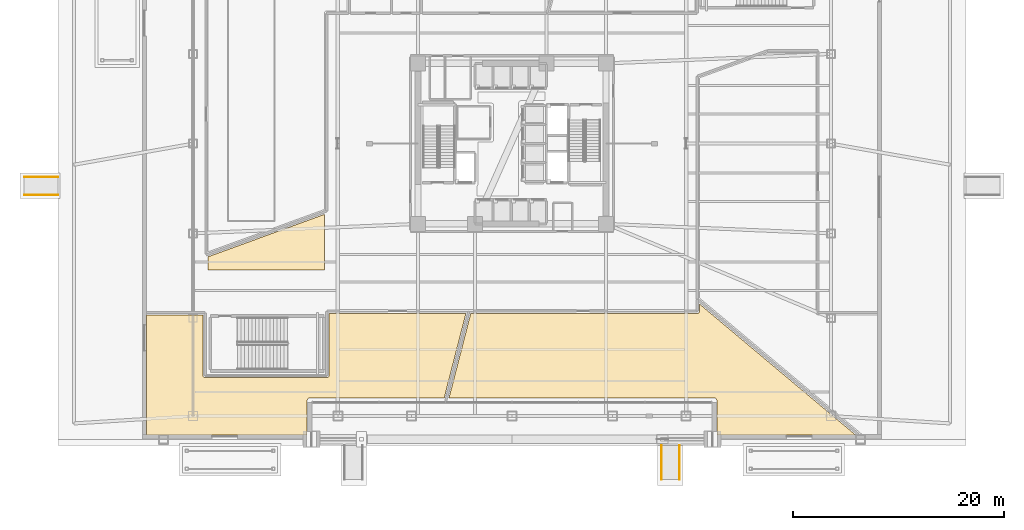
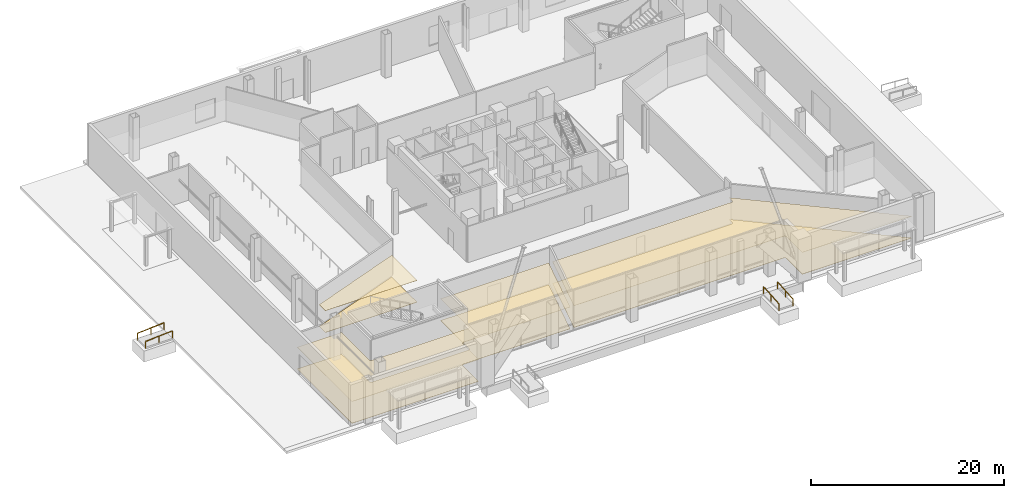
# One storey, part 21 of 27: 6 coverings, 4 railings.
"""IFC4 building model written with IfcOpenShell, lengths in metres."""

from ifc_helpers import new_model, si_unit, direction, frame, origin, origin_2d, place, context, subcontext, project, spatial, polyline, rectangle, outline, extrude, material, layer, layer_set, type_object, element, save


model = new_model("IFC4")

# Units and contexts
model_context = context("Model", 3, precision=1e-05, world=origin(), true_north=direction((0.0, 1.0)))
body_context = subcontext(model_context, "Body", "Model", "MODEL_VIEW")
ifc_project = project(units=[si_unit("LENGTHUNIT", "METRE"), si_unit("AREAUNIT", "SQUARE_METRE"), si_unit("VOLUMEUNIT", "CUBIC_METRE"), si_unit("PLANEANGLEUNIT", "RADIAN"), si_unit("MASSUNIT", "GRAM", prefix="KILO")], contexts=[model_context])

# Site, building, storey
site_placement = place(None, origin())
site = spatial("IfcSite", under=ifc_project, at=site_placement, CompositionType="ELEMENT")
building_placement = place(site_placement, origin())
building = spatial("IfcBuilding", under=site, at=building_placement, Name="Tharavind Bronze Gate", CompositionType="ELEMENT")
storey_placement = place(building_placement, origin())
storey = spatial("IfcBuildingStorey", under=building, at=storey_placement, Name="L00", CompositionType="ELEMENT", Elevation=0.0)

# Coverings
ifc_material_1 = material(Name="Perforated Bronze Acoustic Panel", Category="bronze")
ifc_layer_1 = layer(ifc_material_1, 0.044921875)
ifc_layer_set_1 = layer_set([ifc_layer_1], Name="Perforated Bronze Acoustic Panel")
covering_type_1 = type_object("IfcCoveringType", Name="ACOUSTIC BRONZE BAFFLE CEILING", PredefinedType="CEILING", material=ifc_layer_set_1)
covering_1_placement = place(storey_placement, frame((0.0, 0.0, 2.75)))
element("IfcCovering", 1, at=covering_1_placement, inside=storey, type_object=covering_type_1, Name="L00-PD-05 suspended ceiling", PredefinedType="CEILING", context=body_context, shape_type="SweptSolid", body=[
    extrude(outline(polyline([(-17.77001953125, -11.97998046875), (-17.77001953125, -6.701904296875), (-28.780029296875, -10.709228515625), (-28.780029296875, -11.97998046875), (-17.77001953125, -11.97998046875)])), origin(), (0.0, 0.0, 1.0), 0.034912109375),
])
ifc_material_2 = material(Name="Engineered Oak & Carpet Tile", Category="wood")
ifc_layer_2 = layer(ifc_material_2, 0.02490234375)
ifc_layer_set_2 = layer_set([ifc_layer_2], Name="Engineered Oak & Carpet Tile")
covering_type_2 = type_object("IfcCoveringType", Name="ENGINEERED TIMBER FLOORING", PredefinedType="FLOORING", material=ifc_layer_set_2)
covering_2_placement = place(storey_placement, origin())
element("IfcCovering", 2, at=covering_2_placement, inside=storey, type_object=covering_type_2, Name="L00-PD-06 floor finish", PredefinedType="FLOORING", context=body_context, shape_type="SweptSolid", body=[
    extrude(outline(polyline([(19.179443359375, -24.10009765625), (19.190185546875, -24.100341796875), (19.19091796875, -24.100341796875), (19.21240234375, -24.102294921875), (19.2333984375, -24.106689453125), (19.254150390625, -24.11279296875), (19.27392578125, -24.12109375), (19.293212890625, -24.13134765625), (19.31103515625, -24.143310546875), (19.32763671875, -24.156982421875), (19.343017578125, -24.17236328125), (19.356689453125, -24.18896484375), (19.36865234375, -24.206787109375), (19.37890625, -24.22607421875), (19.38720703125, -24.245849609375), (19.393310546875, -24.2666015625), (19.397705078125, -24.28759765625), (19.399658203125, -24.30908203125), (19.399658203125, -24.309814453125), (19.39990234375, -24.320556640625), (19.39990234375, -27.60009765625), (32.550048828125, -27.60009765625), (17.77001953125, -15.197998046875), (17.77001953125, -15.849365234375), (17.769775390625, -15.860107421875), (17.769775390625, -15.86083984375), (17.767578125, -15.88232421875), (17.763427734375, -15.9033203125), (17.757080078125, -15.924072265625), (17.748779296875, -15.944091796875), (17.73876953125, -15.963134765625), (17.726806640625, -15.98095703125), (17.712890625, -15.997802734375), (17.69775390625, -16.012939453125), (17.680908203125, -16.026611328125), (17.6630859375, -16.038818359375), (17.64404296875, -16.048828125), (17.6240234375, -16.05712890625), (17.603515625, -16.0634765625), (17.582275390625, -16.067626953125), (17.560791015625, -16.069580078125), (17.560302734375, -16.069580078125), (17.54931640625, -16.070068359375), (-3.90478515625, -16.070068359375), (-5.969482421875, -24.10009765625), (19.179443359375, -24.10009765625)])), origin(), (0.0, 0.0, 1.0), 0.02490234375),
])
ifc_material_3 = material(Name="Acoustic Gypsum Board", Category="gypsum")
ifc_layer_3 = layer(ifc_material_3, 0.030029296875)
ifc_layer_set_3 = layer_set([ifc_layer_3], Name="Acoustic Gypsum Board")
covering_type_3 = type_object("IfcCoveringType", Name="GYPSUM SUSPENDED CEILING", PredefinedType="CEILING", material=ifc_layer_set_3)
covering_3_placement = place(storey_placement, frame((0.0, 0.0, 2.75)))
element("IfcCovering", 3, at=covering_3_placement, inside=storey, type_object=covering_type_3, Name="L00-PD-04 suspended ceiling", PredefinedType="CEILING", context=body_context, shape_type="SweptSolid", body=[
    extrude(outline(polyline([(-19.39990234375, -27.60009765625), (-19.39990234375, -24.320556640625), (-19.399658203125, -24.309814453125), (-19.399658203125, -24.30908203125), (-19.397705078125, -24.28759765625), (-19.393310546875, -24.2666015625), (-19.38720703125, -24.245849609375), (-19.37890625, -24.22607421875), (-19.36865234375, -24.206787109375), (-19.356689453125, -24.18896484375), (-19.343017578125, -24.17236328125), (-19.32763671875, -24.156982421875), (-19.31103515625, -24.143310546875), (-19.293212890625, -24.13134765625), (-19.27392578125, -24.12109375), (-19.254150390625, -24.11279296875), (-19.2333984375, -24.106689453125), (-19.21240234375, -24.102294921875), (-19.19091796875, -24.100341796875), (-19.190185546875, -24.100341796875), (-19.179443359375, -24.10009765625), (-6.424072265625, -24.10009765625), (-4.359130859375, -16.070068359375), (-17.330078125, -16.070068359375), (-17.330078125, -21.949462890625), (-17.330322265625, -21.960205078125), (-17.330322265625, -21.960693359375), (-17.33251953125, -21.982421875), (-17.336669921875, -22.00341796875), (-17.343017578125, -22.024169921875), (-17.351318359375, -22.0439453125), (-17.361328125, -22.06298828125), (-17.373291015625, -22.0810546875), (-17.386962890625, -22.09765625), (-17.40234375, -22.113037109375), (-17.4189453125, -22.126708984375), (-17.43701171875, -22.138671875), (-17.4560546875, -22.148681640625), (-17.475830078125, -22.156982421875), (-17.49658203125, -22.163330078125), (-17.517578125, -22.16748046875), (-17.539306640625, -22.169677734375), (-17.539794921875, -22.169677734375), (-17.550537109375, -22.169921875), (-29.04931640625, -22.169921875), (-29.060302734375, -22.169677734375), (-29.060791015625, -22.169677734375), (-29.082275390625, -22.16748046875), (-29.103515625, -22.163330078125), (-29.1240234375, -22.156982421875), (-29.14404296875, -22.148681640625), (-29.1630859375, -22.138671875), (-29.180908203125, -22.126708984375), (-29.19775390625, -22.113037109375), (-29.212890625, -22.09765625), (-29.226806640625, -22.0810546875), (-29.23876953125, -22.06298828125), (-29.248779296875, -22.0439453125), (-29.257080078125, -22.024169921875), (-29.263427734375, -22.00341796875), (-29.267578125, -21.982421875), (-29.269775390625, -21.960693359375), (-29.269775390625, -21.960205078125), (-29.27001953125, -21.949462890625), (-29.27001953125, -16.219970703125), (-34.60009765625, -16.219970703125), (-34.60009765625, -27.60009765625), (-19.39990234375, -27.60009765625)])), origin(), (0.0, 0.0, 1.0), 0.034912109375),
])
covering_4_placement = place(storey_placement, frame((0.0, 0.0, 2.75)))
element("IfcCovering", 4, at=covering_4_placement, inside=storey, type_object=covering_type_3, Name="L00-PD-06 suspended ceiling", PredefinedType="CEILING", context=body_context, shape_type="SweptSolid", body=[
    extrude(outline(polyline([(19.179443359375, -24.10009765625), (19.190185546875, -24.100341796875), (19.19091796875, -24.100341796875), (19.21240234375, -24.102294921875), (19.2333984375, -24.106689453125), (19.254150390625, -24.11279296875), (19.27392578125, -24.12109375), (19.293212890625, -24.13134765625), (19.31103515625, -24.143310546875), (19.32763671875, -24.156982421875), (19.343017578125, -24.17236328125), (19.356689453125, -24.18896484375), (19.36865234375, -24.206787109375), (19.37890625, -24.22607421875), (19.38720703125, -24.245849609375), (19.393310546875, -24.2666015625), (19.397705078125, -24.28759765625), (19.399658203125, -24.30908203125), (19.399658203125, -24.309814453125), (19.39990234375, -24.320556640625), (19.39990234375, -27.60009765625), (32.550048828125, -27.60009765625), (17.77001953125, -15.197998046875), (17.77001953125, -15.849365234375), (17.769775390625, -15.860107421875), (17.769775390625, -15.86083984375), (17.767578125, -15.88232421875), (17.763427734375, -15.9033203125), (17.757080078125, -15.924072265625), (17.748779296875, -15.944091796875), (17.73876953125, -15.963134765625), (17.726806640625, -15.98095703125), (17.712890625, -15.997802734375), (17.69775390625, -16.012939453125), (17.680908203125, -16.026611328125), (17.6630859375, -16.038818359375), (17.64404296875, -16.048828125), (17.6240234375, -16.05712890625), (17.603515625, -16.0634765625), (17.582275390625, -16.067626953125), (17.560791015625, -16.069580078125), (17.560302734375, -16.069580078125), (17.54931640625, -16.070068359375), (-3.90478515625, -16.070068359375), (-5.969482421875, -24.10009765625), (19.179443359375, -24.10009765625)])), origin(), (0.0, 0.0, 1.0), 0.034912109375),
])
ifc_material_4 = material(Name="Honed Travertine Limestone", Category="masonry")
ifc_layer_4 = layer(ifc_material_4, 0.030029296875)
ifc_layer_set_4 = layer_set([ifc_layer_4], Name="Honed Travertine Limestone")
covering_type_4 = type_object("IfcCoveringType", Name="HONED LIMESTONE FLOORING", PredefinedType="FLOORING", material=ifc_layer_set_4)
covering_5_placement = place(storey_placement, origin())
element("IfcCovering", 5, at=covering_5_placement, inside=storey, type_object=covering_type_4, Name="L00-PD-04 floor finish", PredefinedType="FLOORING", context=body_context, shape_type="SweptSolid", body=[
    extrude(outline(polyline([(-19.39990234375, -27.60009765625), (-19.39990234375, -24.320556640625), (-19.399658203125, -24.309814453125), (-19.399658203125, -24.30908203125), (-19.397705078125, -24.28759765625), (-19.393310546875, -24.2666015625), (-19.38720703125, -24.245849609375), (-19.37890625, -24.22607421875), (-19.36865234375, -24.206787109375), (-19.356689453125, -24.18896484375), (-19.343017578125, -24.17236328125), (-19.32763671875, -24.156982421875), (-19.31103515625, -24.143310546875), (-19.293212890625, -24.13134765625), (-19.27392578125, -24.12109375), (-19.254150390625, -24.11279296875), (-19.2333984375, -24.106689453125), (-19.21240234375, -24.102294921875), (-19.19091796875, -24.100341796875), (-19.190185546875, -24.100341796875), (-19.179443359375, -24.10009765625), (-6.424072265625, -24.10009765625), (-4.359130859375, -16.070068359375), (-17.330078125, -16.070068359375), (-17.330078125, -21.949462890625), (-17.330322265625, -21.960205078125), (-17.330322265625, -21.960693359375), (-17.33251953125, -21.982421875), (-17.336669921875, -22.00341796875), (-17.343017578125, -22.024169921875), (-17.351318359375, -22.0439453125), (-17.361328125, -22.06298828125), (-17.373291015625, -22.0810546875), (-17.386962890625, -22.09765625), (-17.40234375, -22.113037109375), (-17.4189453125, -22.126708984375), (-17.43701171875, -22.138671875), (-17.4560546875, -22.148681640625), (-17.475830078125, -22.156982421875), (-17.49658203125, -22.163330078125), (-17.517578125, -22.16748046875), (-17.539306640625, -22.169677734375), (-17.539794921875, -22.169677734375), (-17.550537109375, -22.169921875), (-29.04931640625, -22.169921875), (-29.060302734375, -22.169677734375), (-29.060791015625, -22.169677734375), (-29.082275390625, -22.16748046875), (-29.103515625, -22.163330078125), (-29.1240234375, -22.156982421875), (-29.14404296875, -22.148681640625), (-29.1630859375, -22.138671875), (-29.180908203125, -22.126708984375), (-29.19775390625, -22.113037109375), (-29.212890625, -22.09765625), (-29.226806640625, -22.0810546875), (-29.23876953125, -22.06298828125), (-29.248779296875, -22.0439453125), (-29.257080078125, -22.024169921875), (-29.263427734375, -22.00341796875), (-29.267578125, -21.982421875), (-29.269775390625, -21.960693359375), (-29.269775390625, -21.960205078125), (-29.27001953125, -21.949462890625), (-29.27001953125, -16.219970703125), (-34.60009765625, -16.219970703125), (-34.60009765625, -27.60009765625), (-19.39990234375, -27.60009765625)])), origin(), (0.0, 0.0, 1.0), 0.02490234375),
])
covering_6_placement = place(storey_placement, origin())
element("IfcCovering", 6, at=covering_6_placement, inside=storey, type_object=covering_type_4, Name="L00-PD-05 floor finish", PredefinedType="FLOORING", context=body_context, shape_type="SweptSolid", body=[
    extrude(outline(polyline([(-17.77001953125, -11.97998046875), (-17.77001953125, -6.701904296875), (-28.780029296875, -10.709228515625), (-28.780029296875, -11.97998046875), (-17.77001953125, -11.97998046875)])), origin(), (0.0, 0.0, 1.0), 0.02490234375),
])

# Railings
ifc_material_5 = material(Name="Brushed Bronze Tube", Category="bronze")
railing_type = type_object("IfcRailingType", Name="RAMP BRONZE HANDRAIL 920", PredefinedType="HANDRAIL", material=ifc_material_5)
for number, where, name in (
    (7, (14.14990234375, -31.800048828125, -0.219970703125), "Accessible ramp 2 handrail A"),
    (8, (15.85009765625, -31.800048828125, -0.219970703125), "Accessible ramp 2 handrail B"),
):
    element("IfcRailing", number, at=place(storey_placement, frame(where)), inside=storey, type_object=railing_type, Name=name, PredefinedType="HANDRAIL", context=body_context, shape_type="SweptSolid", body=[
        extrude(rectangle(XDim=0.048095703125, YDim=0.048095703125, at=origin_2d()), frame((0.0, 0.031982421875, 0.89794921875), z_axis=(0.0, 0.997645616887, 0.068580048891), x_axis=(-1.0, 0.0, 0.0)), (0.0, 0.0, 1.0), 3.1435546875),
        extrude(rectangle(XDim=0.0400390625, YDim=0.0400390625, at=origin_2d()), origin(), (0.0, 0.0, 1.0), 0.867919921875),
        extrude(rectangle(XDim=0.0400390625, YDim=0.0400390625, at=origin_2d()), frame((0.0, 1.60009765625, 0.10986328125)), (0.0, 0.0, 1.0), 0.867919921875),
        extrude(rectangle(XDim=0.0400390625, YDim=0.0400390625, at=origin_2d()), frame((0.0, 3.199951171875, 0.219970703125)), (0.0, 0.0, 1.0), 0.867919921875),
    ])
for number, where, name in (
    (9, (-46.199951171875, -4.85009765625, -0.219970703125), "Accessible ramp 3 handrail A"),
    (10, (-46.199951171875, -3.14990234375, -0.219970703125), "Accessible ramp 3 handrail B"),
):
    element("IfcRailing", number, at=place(storey_placement, frame(where)), inside=storey, type_object=railing_type, Name=name, PredefinedType="HANDRAIL", context=body_context, shape_type="SweptSolid", body=[
        extrude(rectangle(XDim=0.048095703125, YDim=0.048095703125, at=origin_2d()), frame((0.031982421875, 0.0, 0.89794921875), z_axis=(0.997645616887, 0.0, 0.068580048891), x_axis=(0.0, 1.0, 0.0)), (0.0, 0.0, 1.0), 3.1435546875),
        extrude(rectangle(XDim=0.0400390625, YDim=0.0400390625, at=origin_2d()), origin(), (0.0, 0.0, 1.0), 0.867919921875),
        extrude(rectangle(XDim=0.0400390625, YDim=0.0400390625, at=origin_2d()), frame((1.60009765625, 0.0, 0.10986328125)), (0.0, 0.0, 1.0), 0.867919921875),
        extrude(rectangle(XDim=0.0400390625, YDim=0.0400390625, at=origin_2d()), frame((3.199951171875, 0.0, 0.219970703125)), (0.0, 0.0, 1.0), 0.867919921875),
    ])

save(model, "model.ifc")
